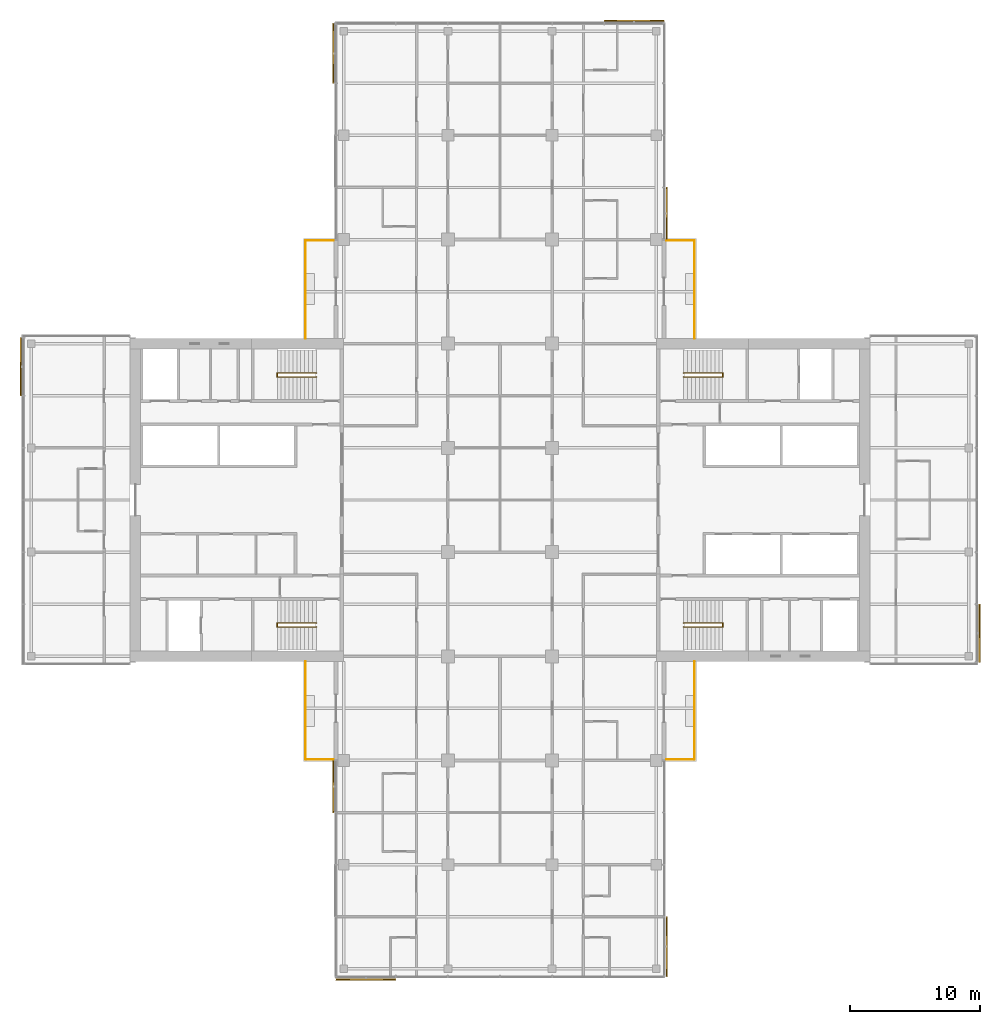
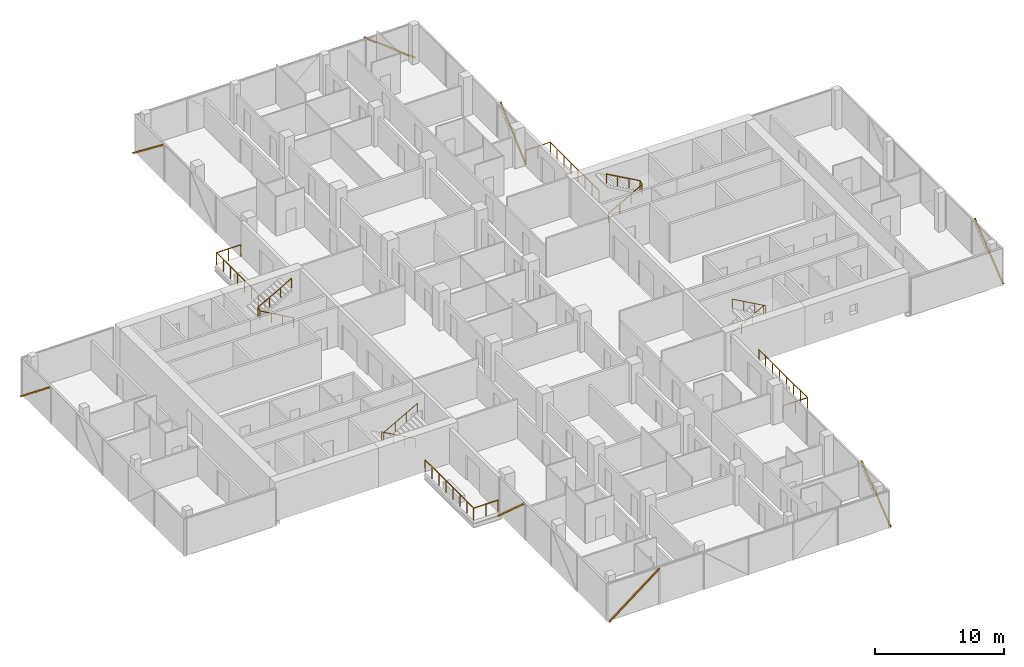
# One storey, part 27 of 27: 8 railings, 8 shading devices, 8 elements without a shape of their own.
"""IFC4 building model written with IfcOpenShell, lengths in metres."""

from ifc_helpers import new_model, si_unit, direction, frame, origin, origin_2d, place, context, subcontext, project, spatial, rectangle, circle, extrude, material, material_profile, profile_set, type_object, element, aggregate, save


model = new_model("IFC4")

# Units and contexts
model_context = context("Model", 3, precision=1e-05, world=origin(), true_north=direction((0.0, 1.0)))
body_context = subcontext(model_context, "Body", "Model", "MODEL_VIEW")
ifc_project = project(units=[si_unit("LENGTHUNIT", "METRE"), si_unit("AREAUNIT", "SQUARE_METRE"), si_unit("VOLUMEUNIT", "CUBIC_METRE"), si_unit("PLANEANGLEUNIT", "RADIAN"), si_unit("MASSUNIT", "GRAM", prefix="KILO")], contexts=[model_context])

# Site, building, storey
site_placement = place(None, origin())
site = spatial("IfcSite", under=ifc_project, at=site_placement, CompositionType="ELEMENT")
building_placement = place(site_placement, origin())
building = spatial("IfcBuilding", under=site, at=building_placement, Name="Crosswind Convention Tower", CompositionType="ELEMENT")
storey_placement = place(building_placement, frame((0.0, 0.0, 101.60009765625)))
storey = spatial("IfcBuildingStorey", under=building, at=storey_placement, Name="L20", CompositionType="ELEMENT", Elevation=101.60009765625)

# Railings
ifc_material_1 = material(Name="Steel and laminated glass balustrade", Category="steel")
railing_type_1 = type_object("IfcRailingType", Name="BALCONY BALUSTRADE 1150", PredefinedType="BALUSTRADE", material=ifc_material_1)
railing_1_placement = place(storey_placement, frame((139.93994140625, 112.39990234375, 0.0)))
element("IfcRailing", 1, at=railing_1_placement, inside=storey, type_object=railing_type_1, Name="R11 balcony balustrade L20 N-E.1-1", PredefinedType="BALUSTRADE", context=body_context, shape_type="SweptSolid", body=[
    extrude(circle(Radius=0.02392578125, at=origin_2d()), frame((0.0, 0.0, 1.1259765625), z_axis=(0.0, 1.0, 0.0), x_axis=(-1.0, 0.0, 0.0)), (0.0, 0.0, 1.0), 7.5400390625),
    extrude(circle(Radius=0.02392578125, at=origin_2d()), frame((0.0, 7.5400390625, 1.1259765625), z_axis=(-1.0, 0.0, 0.0), x_axis=(0.0, -1.0, 0.0)), (0.0, 0.0, 1.0), 2.1689453125),
    extrude(circle(Radius=0.02099609375, at=origin_2d()), origin(), (0.0, 0.0, 1.0), 1.101806640625),
    extrude(circle(Radius=0.02099609375, at=origin_2d()), frame((0.0, 1.0771484375, 0.0)), (0.0, 0.0, 1.0), 1.101806640625),
    extrude(circle(Radius=0.02099609375, at=origin_2d()), frame((0.0, 2.154296875, 0.0)), (0.0, 0.0, 1.0), 1.101806640625),
    extrude(circle(Radius=0.02099609375, at=origin_2d()), frame((0.0, 3.2314453125, 0.0)), (0.0, 0.0, 1.0), 1.101806640625),
    extrude(circle(Radius=0.02099609375, at=origin_2d()), frame((0.0, 4.30859375, 0.0)), (0.0, 0.0, 1.0), 1.101806640625),
    extrude(circle(Radius=0.02099609375, at=origin_2d()), frame((0.0, 5.3857421875, 0.0)), (0.0, 0.0, 1.0), 1.101806640625),
    extrude(circle(Radius=0.02099609375, at=origin_2d()), frame((0.0, 6.462890625, 0.0)), (0.0, 0.0, 1.0), 1.101806640625),
    extrude(circle(Radius=0.02099609375, at=origin_2d()), frame((0.0, 7.5400390625, 0.0)), (0.0, 0.0, 1.0), 1.101806640625),
    extrude(circle(Radius=0.02099609375, at=origin_2d()), frame((-1.08447265625, 7.5400390625, 0.0)), (0.0, 0.0, 1.0), 1.101806640625),
    extrude(circle(Radius=0.02099609375, at=origin_2d()), frame((-2.1689453125, 7.5400390625, 0.0)), (0.0, 0.0, 1.0), 1.101806640625),
])
railing_2_placement = place(storey_placement, frame((110.06005859375, 112.39990234375, 0.0)))
element("IfcRailing", 2, at=railing_2_placement, inside=storey, type_object=railing_type_1, Name="R11 balcony balustrade L20 N-W.1-3", PredefinedType="BALUSTRADE", context=body_context, shape_type="SweptSolid", body=[
    extrude(circle(Radius=0.02392578125, at=origin_2d()), frame((0.0, 0.0, 1.1259765625), z_axis=(0.0, 1.0, 0.0), x_axis=(-1.0, 0.0, 0.0)), (0.0, 0.0, 1.0), 7.5400390625),
    extrude(circle(Radius=0.02392578125, at=origin_2d()), frame((0.0, 7.5400390625, 1.1259765625), z_axis=(1.0, 0.0, 0.0), x_axis=(0.0, 1.0, 0.0)), (0.0, 0.0, 1.0), 2.1689453125),
    extrude(circle(Radius=0.02099609375, at=origin_2d()), origin(), (0.0, 0.0, 1.0), 1.101806640625),
    extrude(circle(Radius=0.02099609375, at=origin_2d()), frame((0.0, 1.0771484375, 0.0)), (0.0, 0.0, 1.0), 1.101806640625),
    extrude(circle(Radius=0.02099609375, at=origin_2d()), frame((0.0, 2.154296875, 0.0)), (0.0, 0.0, 1.0), 1.101806640625),
    extrude(circle(Radius=0.02099609375, at=origin_2d()), frame((0.0, 3.2314453125, 0.0)), (0.0, 0.0, 1.0), 1.101806640625),
    extrude(circle(Radius=0.02099609375, at=origin_2d()), frame((0.0, 4.30859375, 0.0)), (0.0, 0.0, 1.0), 1.101806640625),
    extrude(circle(Radius=0.02099609375, at=origin_2d()), frame((0.0, 5.3857421875, 0.0)), (0.0, 0.0, 1.0), 1.101806640625),
    extrude(circle(Radius=0.02099609375, at=origin_2d()), frame((0.0, 6.462890625, 0.0)), (0.0, 0.0, 1.0), 1.101806640625),
    extrude(circle(Radius=0.02099609375, at=origin_2d()), frame((0.0, 7.5400390625, 0.0)), (0.0, 0.0, 1.0), 1.101806640625),
    extrude(circle(Radius=0.02099609375, at=origin_2d()), frame((1.08447265625, 7.5400390625, 0.0)), (0.0, 0.0, 1.0), 1.101806640625),
    extrude(circle(Radius=0.02099609375, at=origin_2d()), frame((2.1689453125, 7.5400390625, 0.0)), (0.0, 0.0, 1.0), 1.101806640625),
])
railing_3_placement = place(storey_placement, frame((110.06005859375, 87.60009765625, 0.0)))
element("IfcRailing", 3, at=railing_3_placement, inside=storey, type_object=railing_type_1, Name="R11 balcony balustrade L20 S-W.1-1", PredefinedType="BALUSTRADE", context=body_context, shape_type="SweptSolid", body=[
    extrude(circle(Radius=0.02392578125, at=origin_2d()), frame((0.0, 0.0, 1.1259765625), z_axis=(0.0, -1.0, 0.0), x_axis=(1.0, 0.0, 0.0)), (0.0, 0.0, 1.0), 7.5400390625),
    extrude(circle(Radius=0.02392578125, at=origin_2d()), frame((0.0, -7.5400390625, 1.1259765625), z_axis=(1.0, 0.0, 0.0), x_axis=(0.0, 1.0, 0.0)), (0.0, 0.0, 1.0), 2.1689453125),
    extrude(circle(Radius=0.02099609375, at=origin_2d()), origin(), (0.0, 0.0, 1.0), 1.101806640625),
    extrude(circle(Radius=0.02099609375, at=origin_2d()), frame((0.0, -1.0771484375, 0.0)), (0.0, 0.0, 1.0), 1.101806640625),
    extrude(circle(Radius=0.02099609375, at=origin_2d()), frame((0.0, -2.154296875, 0.0)), (0.0, 0.0, 1.0), 1.101806640625),
    extrude(circle(Radius=0.02099609375, at=origin_2d()), frame((0.0, -3.2314453125, 0.0)), (0.0, 0.0, 1.0), 1.101806640625),
    extrude(circle(Radius=0.02099609375, at=origin_2d()), frame((0.0, -4.30859375, 0.0)), (0.0, 0.0, 1.0), 1.101806640625),
    extrude(circle(Radius=0.02099609375, at=origin_2d()), frame((0.0, -5.3857421875, 0.0)), (0.0, 0.0, 1.0), 1.101806640625),
    extrude(circle(Radius=0.02099609375, at=origin_2d()), frame((0.0, -6.462890625, 0.0)), (0.0, 0.0, 1.0), 1.101806640625),
    extrude(circle(Radius=0.02099609375, at=origin_2d()), frame((0.0, -7.5400390625, 0.0)), (0.0, 0.0, 1.0), 1.101806640625),
    extrude(circle(Radius=0.02099609375, at=origin_2d()), frame((1.08447265625, -7.5400390625, 0.0)), (0.0, 0.0, 1.0), 1.101806640625),
    extrude(circle(Radius=0.02099609375, at=origin_2d()), frame((2.1689453125, -7.5400390625, 0.0)), (0.0, 0.0, 1.0), 1.101806640625),
])
railing_4_placement = place(storey_placement, frame((139.93994140625, 87.60009765625, 0.0)))
element("IfcRailing", 4, at=railing_4_placement, inside=storey, type_object=railing_type_1, Name="R11 balcony balustrade L20 S-E.1-3", PredefinedType="BALUSTRADE", context=body_context, shape_type="SweptSolid", body=[
    extrude(circle(Radius=0.02392578125, at=origin_2d()), frame((0.0, 0.0, 1.1259765625), z_axis=(0.0, -1.0, 0.0), x_axis=(1.0, 0.0, 0.0)), (0.0, 0.0, 1.0), 7.5400390625),
    extrude(circle(Radius=0.02392578125, at=origin_2d()), frame((0.0, -7.5400390625, 1.1259765625), z_axis=(-1.0, 0.0, 0.0), x_axis=(0.0, -1.0, 0.0)), (0.0, 0.0, 1.0), 2.1689453125),
    extrude(circle(Radius=0.02099609375, at=origin_2d()), origin(), (0.0, 0.0, 1.0), 1.101806640625),
    extrude(circle(Radius=0.02099609375, at=origin_2d()), frame((0.0, -1.0771484375, 0.0)), (0.0, 0.0, 1.0), 1.101806640625),
    extrude(circle(Radius=0.02099609375, at=origin_2d()), frame((0.0, -2.154296875, 0.0)), (0.0, 0.0, 1.0), 1.101806640625),
    extrude(circle(Radius=0.02099609375, at=origin_2d()), frame((0.0, -3.2314453125, 0.0)), (0.0, 0.0, 1.0), 1.101806640625),
    extrude(circle(Radius=0.02099609375, at=origin_2d()), frame((0.0, -4.30859375, 0.0)), (0.0, 0.0, 1.0), 1.101806640625),
    extrude(circle(Radius=0.02099609375, at=origin_2d()), frame((0.0, -5.3857421875, 0.0)), (0.0, 0.0, 1.0), 1.101806640625),
    extrude(circle(Radius=0.02099609375, at=origin_2d()), frame((0.0, -6.462890625, 0.0)), (0.0, 0.0, 1.0), 1.101806640625),
    extrude(circle(Radius=0.02099609375, at=origin_2d()), frame((0.0, -7.5400390625, 0.0)), (0.0, 0.0, 1.0), 1.101806640625),
    extrude(circle(Radius=0.02099609375, at=origin_2d()), frame((-1.08447265625, -7.5400390625, 0.0)), (0.0, 0.0, 1.0), 1.101806640625),
    extrude(circle(Radius=0.02099609375, at=origin_2d()), frame((-2.1689453125, -7.5400390625, 0.0)), (0.0, 0.0, 1.0), 1.101806640625),
])
ifc_material_2 = material(Name="Stainless steel", Category="steel")
railing_type_2 = type_object("IfcRailingType", Name="Stair handrail 900", PredefinedType="HANDRAIL", material=ifc_material_2)
railing_5_placement = place(storey_placement, frame((139.10009765625, 109.43994140625, 0.16796875)))
element("IfcRailing", 5, at=railing_5_placement, inside=storey, type_object=railing_type_2, Name="Stair ST1 handrail L20", PredefinedType="HANDRAIL", context=body_context, shape_type="SweptSolid", body=[
    extrude(circle(Radius=0.02392578125, at=origin_2d()), frame((0.0, 0.0, 0.8759765625), z_axis=(0.872272294576, 0.0, 0.489020494575), x_axis=(0.0, 1.0, 0.0)), (0.0, 0.0, 1.0), 3.439208984375),
    extrude(circle(Radius=0.02392578125, at=origin_2d()), frame((3.0, 0.0, 2.5576171875), z_axis=(0.0, 0.885196349292, 0.465217608438), x_axis=(-1.0, 0.0, 0.0)), (0.0, 0.0, 1.0), 0.361572265625),
    extrude(circle(Radius=0.02392578125, at=origin_2d()), frame((3.0, 0.320068359375, 2.72607421875), z_axis=(-0.872272294576, 0.0, 0.489020494575), x_axis=(0.0, -1.0, 0.0)), (0.0, 0.0, 1.0), 3.439208984375),
    extrude(circle(Radius=0.02099609375, at=origin_2d()), origin(), (0.0, 0.0, 1.0), 0.851806640625),
    extrude(circle(Radius=0.02099609375, at=origin_2d()), frame((1.0, 0.0, 0.560546875)), (0.0, 0.0, 1.0), 0.851806640625),
    extrude(circle(Radius=0.02099609375, at=origin_2d()), frame((2.0, 0.0, 1.121337890625)), (0.0, 0.0, 1.0), 0.851806640625),
    extrude(circle(Radius=0.02099609375, at=origin_2d()), frame((3.0, 0.0, 1.681884765625)), (0.0, 0.0, 1.0), 0.851806640625),
    extrude(circle(Radius=0.02099609375, at=origin_2d()), frame((3.0, 0.320068359375, 1.85009765625)), (0.0, 0.0, 1.0), 0.851806640625),
    extrude(circle(Radius=0.02099609375, at=origin_2d()), frame((2.0, 0.320068359375, 2.41064453125)), (0.0, 0.0, 1.0), 0.851806640625),
    extrude(circle(Radius=0.02099609375, at=origin_2d()), frame((1.0, 0.320068359375, 2.971435546875)), (0.0, 0.0, 1.0), 0.851806640625),
    extrude(circle(Radius=0.02099609375, at=origin_2d()), frame((0.0, 0.320068359375, 3.531982421875)), (0.0, 0.0, 1.0), 0.851806640625),
])
railing_6_placement = place(storey_placement, frame((139.10009765625, 90.56005859375, 0.16796875)))
element("IfcRailing", 6, at=railing_6_placement, inside=storey, type_object=railing_type_2, Name="Stair ST2 handrail L20", PredefinedType="HANDRAIL", context=body_context, shape_type="SweptSolid", body=[
    extrude(circle(Radius=0.02392578125, at=origin_2d()), frame((0.0, 0.0, 0.8759765625), z_axis=(0.872272294576, 0.0, 0.489020494575), x_axis=(0.0, 1.0, 0.0)), (0.0, 0.0, 1.0), 3.439208984375),
    extrude(circle(Radius=0.02392578125, at=origin_2d()), frame((3.0, 0.0, 2.5576171875), z_axis=(0.0, -0.885196349292, 0.465217608438), x_axis=(1.0, 0.0, 0.0)), (0.0, 0.0, 1.0), 0.361572265625),
    extrude(circle(Radius=0.02392578125, at=origin_2d()), frame((3.0, -0.320068359375, 2.72607421875), z_axis=(-0.872272294576, 0.0, 0.489020494575), x_axis=(0.0, -1.0, 0.0)), (0.0, 0.0, 1.0), 3.439208984375),
    extrude(circle(Radius=0.02099609375, at=origin_2d()), origin(), (0.0, 0.0, 1.0), 0.851806640625),
    extrude(circle(Radius=0.02099609375, at=origin_2d()), frame((1.0, 0.0, 0.560546875)), (0.0, 0.0, 1.0), 0.851806640625),
    extrude(circle(Radius=0.02099609375, at=origin_2d()), frame((2.0, 0.0, 1.121337890625)), (0.0, 0.0, 1.0), 0.851806640625),
    extrude(circle(Radius=0.02099609375, at=origin_2d()), frame((3.0, 0.0, 1.681884765625)), (0.0, 0.0, 1.0), 0.851806640625),
    extrude(circle(Radius=0.02099609375, at=origin_2d()), frame((3.0, -0.320068359375, 1.85009765625)), (0.0, 0.0, 1.0), 0.851806640625),
    extrude(circle(Radius=0.02099609375, at=origin_2d()), frame((2.0, -0.320068359375, 2.41064453125)), (0.0, 0.0, 1.0), 0.851806640625),
    extrude(circle(Radius=0.02099609375, at=origin_2d()), frame((1.0, -0.320068359375, 2.971435546875)), (0.0, 0.0, 1.0), 0.851806640625),
    extrude(circle(Radius=0.02099609375, at=origin_2d()), frame((0.0, -0.320068359375, 3.531982421875)), (0.0, 0.0, 1.0), 0.851806640625),
])
railing_7_placement = place(storey_placement, frame((110.89990234375, 90.56005859375, 0.16796875)))
element("IfcRailing", 7, at=railing_7_placement, inside=storey, type_object=railing_type_2, Name="Stair ST3 handrail L20", PredefinedType="HANDRAIL", context=body_context, shape_type="SweptSolid", body=[
    extrude(circle(Radius=0.02392578125, at=origin_2d()), frame((0.0, 0.0, 0.8759765625), z_axis=(-0.872272294576, 0.0, 0.489020494575), x_axis=(0.0, -1.0, 0.0)), (0.0, 0.0, 1.0), 3.439208984375),
    extrude(circle(Radius=0.02392578125, at=origin_2d()), frame((-3.0, 0.0, 2.5576171875), z_axis=(0.0, -0.885196349292, 0.465217608438), x_axis=(1.0, 0.0, 0.0)), (0.0, 0.0, 1.0), 0.361572265625),
    extrude(circle(Radius=0.02392578125, at=origin_2d()), frame((-3.0, -0.320068359375, 2.72607421875), z_axis=(0.872272294576, 0.0, 0.489020494575), x_axis=(0.0, 1.0, 0.0)), (0.0, 0.0, 1.0), 3.439208984375),
    extrude(circle(Radius=0.02099609375, at=origin_2d()), origin(), (0.0, 0.0, 1.0), 0.851806640625),
    extrude(circle(Radius=0.02099609375, at=origin_2d()), frame((-1.0, 0.0, 0.560546875)), (0.0, 0.0, 1.0), 0.851806640625),
    extrude(circle(Radius=0.02099609375, at=origin_2d()), frame((-2.0, 0.0, 1.121337890625)), (0.0, 0.0, 1.0), 0.851806640625),
    extrude(circle(Radius=0.02099609375, at=origin_2d()), frame((-3.0, 0.0, 1.681884765625)), (0.0, 0.0, 1.0), 0.851806640625),
    extrude(circle(Radius=0.02099609375, at=origin_2d()), frame((-3.0, -0.320068359375, 1.85009765625)), (0.0, 0.0, 1.0), 0.851806640625),
    extrude(circle(Radius=0.02099609375, at=origin_2d()), frame((-2.0, -0.320068359375, 2.41064453125)), (0.0, 0.0, 1.0), 0.851806640625),
    extrude(circle(Radius=0.02099609375, at=origin_2d()), frame((-1.0, -0.320068359375, 2.971435546875)), (0.0, 0.0, 1.0), 0.851806640625),
    extrude(circle(Radius=0.02099609375, at=origin_2d()), frame((0.0, -0.320068359375, 3.531982421875)), (0.0, 0.0, 1.0), 0.851806640625),
])
railing_8_placement = place(storey_placement, frame((110.89990234375, 109.43994140625, 0.16796875)))
element("IfcRailing", 8, at=railing_8_placement, inside=storey, type_object=railing_type_2, Name="Stair ST4 handrail L20", PredefinedType="HANDRAIL", context=body_context, shape_type="SweptSolid", body=[
    extrude(circle(Radius=0.02392578125, at=origin_2d()), frame((0.0, 0.0, 0.8759765625), z_axis=(-0.872272294576, 0.0, 0.489020494575), x_axis=(0.0, -1.0, 0.0)), (0.0, 0.0, 1.0), 3.439208984375),
    extrude(circle(Radius=0.02392578125, at=origin_2d()), frame((-3.0, 0.0, 2.5576171875), z_axis=(0.0, 0.885196349292, 0.465217608438), x_axis=(-1.0, 0.0, 0.0)), (0.0, 0.0, 1.0), 0.361572265625),
    extrude(circle(Radius=0.02392578125, at=origin_2d()), frame((-3.0, 0.320068359375, 2.72607421875), z_axis=(0.872272294576, 0.0, 0.489020494575), x_axis=(0.0, 1.0, 0.0)), (0.0, 0.0, 1.0), 3.439208984375),
    extrude(circle(Radius=0.02099609375, at=origin_2d()), origin(), (0.0, 0.0, 1.0), 0.851806640625),
    extrude(circle(Radius=0.02099609375, at=origin_2d()), frame((-1.0, 0.0, 0.560546875)), (0.0, 0.0, 1.0), 0.851806640625),
    extrude(circle(Radius=0.02099609375, at=origin_2d()), frame((-2.0, 0.0, 1.121337890625)), (0.0, 0.0, 1.0), 0.851806640625),
    extrude(circle(Radius=0.02099609375, at=origin_2d()), frame((-3.0, 0.0, 1.681884765625)), (0.0, 0.0, 1.0), 0.851806640625),
    extrude(circle(Radius=0.02099609375, at=origin_2d()), frame((-3.0, 0.320068359375, 1.85009765625)), (0.0, 0.0, 1.0), 0.851806640625),
    extrude(circle(Radius=0.02099609375, at=origin_2d()), frame((-2.0, 0.320068359375, 2.41064453125)), (0.0, 0.0, 1.0), 0.851806640625),
    extrude(circle(Radius=0.02099609375, at=origin_2d()), frame((-1.0, 0.320068359375, 2.971435546875)), (0.0, 0.0, 1.0), 0.851806640625),
    extrude(circle(Radius=0.02099609375, at=origin_2d()), frame((0.0, 0.320068359375, 3.531982421875)), (0.0, 0.0, 1.0), 0.851806640625),
])

# Curtain wall, shading device
ifc_material_3 = material(Name="Aluminium unitised curtain wall", Category="aluminium")
curtain_wall_type = type_object("IfcCurtainWallType", Name="HOTEL UNITISED WALL 200", PredefinedType="USERDEFINED", material=ifc_material_3)
curtain_wall_1_placement = place(storey_placement, origin())
curtain_wall_1 = element("IfcCurtainWall", 9, at=curtain_wall_1_placement, inside=storey, type_object=curtain_wall_type, Name="CW2 L20 E-TIP 1", ObjectType="UNITISED", PredefinedType="USERDEFINED")
ifc_material_4 = material(Name="Extruded terracotta", Category="masonry")
ifc_material_profile = material_profile(ifc_material_4, rectangle(XDim=0.10009765625, YDim=0.1201171875, at=origin_2d()), Name="TC 100X120")
ifc_profile_set = profile_set([ifc_material_profile], Name="Extruded terracotta")
shading_device_type = type_object("IfcShadingDeviceType", Name="TERRACOTTA BAGUETTE 120X100", PredefinedType="USERDEFINED", material=ifc_profile_set)
shading_device_1_placement = place(storey_placement, frame((161.80810546875, 87.56494140625, -0.280029296875), z_axis=(0.0, 0.781489934058, 0.623917849533), x_axis=(-1.0, 0.0, 0.0)))
shading_device_1 = element("IfcShadingDevice", 10, at=shading_device_1_placement, type_object=shading_device_type, Name="CW2 terracotta baguette 1", ObjectType="BAGUETTE", PredefinedType="USERDEFINED", context=body_context, shape_type="SweptSolid", body=[
    extrude(rectangle(XDim=0.10009765625, YDim=0.1201171875, at=origin_2d()), origin(), (0.0, 0.0, 1.0), 5.633544921875),
])
aggregate(curtain_wall_1, [shading_device_1])

curtain_wall_2_placement = place(storey_placement, origin())
curtain_wall_2 = element("IfcCurtainWall", 11, at=curtain_wall_2_placement, inside=storey, type_object=curtain_wall_type, Name="CW2 L20 N-E 1", ObjectType="UNITISED", PredefinedType="USERDEFINED")
shading_device_2_placement = place(storey_placement, frame((137.80810546875, 120.032470703125, -0.280029296875), z_axis=(0.0, 0.745801360675, 0.666168394939), x_axis=(-1.0, 0.0, 0.0)))
shading_device_2 = element("IfcShadingDevice", 12, at=shading_device_2_placement, type_object=shading_device_type, Name="CW2 terracotta baguette 1", ObjectType="BAGUETTE", PredefinedType="USERDEFINED", context=body_context, shape_type="SweptSolid", body=[
    extrude(rectangle(XDim=0.10009765625, YDim=0.1201171875, at=origin_2d()), origin(), (0.0, 0.0, 1.0), 5.2763671875),
])
aggregate(curtain_wall_2, [shading_device_2])

curtain_wall_3_placement = place(storey_placement, origin())
curtain_wall_3 = element("IfcCurtainWall", 13, at=curtain_wall_3_placement, inside=storey, type_object=curtain_wall_type, Name="CW2 L20 N-TIP 1", ObjectType="UNITISED", PredefinedType="USERDEFINED")
shading_device_3_placement = place(storey_placement, frame((137.5673828125, 136.80810546875, -0.280029296875), z_axis=(-0.790386722697, 0.0, 0.612608217856), x_axis=(0.0, -1.0, 0.0)))
shading_device_3 = element("IfcShadingDevice", 14, at=shading_device_3_placement, type_object=shading_device_type, Name="CW2 terracotta baguette 1", ObjectType="BAGUETTE", PredefinedType="USERDEFINED", context=body_context, shape_type="SweptSolid", body=[
    extrude(rectangle(XDim=0.10009765625, YDim=0.1201171875, at=origin_2d()), origin(), (0.0, 0.0, 1.0), 5.737548828125),
])
aggregate(curtain_wall_3, [shading_device_3])

curtain_wall_4_placement = place(storey_placement, origin())
curtain_wall_4 = element("IfcCurtainWall", 15, at=curtain_wall_4_placement, inside=storey, type_object=curtain_wall_type, Name="CW2 L20 N-W 1", ObjectType="UNITISED", PredefinedType="USERDEFINED")
shading_device_4_placement = place(storey_placement, frame((112.19189453125, 136.5673828125, -0.280029296875), z_axis=(0.0, -0.790386722697, 0.612608217856), x_axis=(1.0, 0.0, 0.0)))
shading_device_4 = element("IfcShadingDevice", 16, at=shading_device_4_placement, type_object=shading_device_type, Name="CW2 terracotta baguette 1", ObjectType="BAGUETTE", PredefinedType="USERDEFINED", context=body_context, shape_type="SweptSolid", body=[
    extrude(rectangle(XDim=0.10009765625, YDim=0.1201171875, at=origin_2d()), origin(), (0.0, 0.0, 1.0), 5.737548828125),
])
aggregate(curtain_wall_4, [shading_device_4])

curtain_wall_5_placement = place(storey_placement, origin())
curtain_wall_5 = element("IfcCurtainWall", 17, at=curtain_wall_5_placement, inside=storey, type_object=curtain_wall_type, Name="CW2 L20 W-TIP 1", ObjectType="UNITISED", PredefinedType="USERDEFINED")
shading_device_5_placement = place(storey_placement, frame((88.19189453125, 112.43505859375, -0.280029296875), z_axis=(0.0, -0.781489934058, 0.623917849533), x_axis=(1.0, 0.0, 0.0)))
shading_device_5 = element("IfcShadingDevice", 18, at=shading_device_5_placement, type_object=shading_device_type, Name="CW2 terracotta baguette 1", ObjectType="BAGUETTE", PredefinedType="USERDEFINED", context=body_context, shape_type="SweptSolid", body=[
    extrude(rectangle(XDim=0.10009765625, YDim=0.1201171875, at=origin_2d()), origin(), (0.0, 0.0, 1.0), 5.633544921875),
])
aggregate(curtain_wall_5, [shading_device_5])

curtain_wall_6_placement = place(storey_placement, origin())
curtain_wall_6 = element("IfcCurtainWall", 19, at=curtain_wall_6_placement, inside=storey, type_object=curtain_wall_type, Name="CW2 L20 S-W 1", ObjectType="UNITISED", PredefinedType="USERDEFINED")
shading_device_6_placement = place(storey_placement, frame((112.19189453125, 79.967529296875, -0.280029296875), z_axis=(0.0, -0.745801360675, 0.666168394939), x_axis=(1.0, 0.0, 0.0)))
shading_device_6 = element("IfcShadingDevice", 20, at=shading_device_6_placement, type_object=shading_device_type, Name="CW2 terracotta baguette 1", ObjectType="BAGUETTE", PredefinedType="USERDEFINED", context=body_context, shape_type="SweptSolid", body=[
    extrude(rectangle(XDim=0.10009765625, YDim=0.1201171875, at=origin_2d()), origin(), (0.0, 0.0, 1.0), 5.2763671875),
])
aggregate(curtain_wall_6, [shading_device_6])

curtain_wall_7_placement = place(storey_placement, origin())
curtain_wall_7 = element("IfcCurtainWall", 21, at=curtain_wall_7_placement, inside=storey, type_object=curtain_wall_type, Name="CW2 L20 S-TIP 1", ObjectType="UNITISED", PredefinedType="USERDEFINED")
shading_device_7_placement = place(storey_placement, frame((112.4326171875, 63.19189453125, -0.280029296875), z_axis=(0.790386722697, 0.0, 0.612608217856), x_axis=(0.0, 1.0, 0.0)))
shading_device_7 = element("IfcShadingDevice", 22, at=shading_device_7_placement, type_object=shading_device_type, Name="CW2 terracotta baguette 1", ObjectType="BAGUETTE", PredefinedType="USERDEFINED", context=body_context, shape_type="SweptSolid", body=[
    extrude(rectangle(XDim=0.10009765625, YDim=0.1201171875, at=origin_2d()), origin(), (0.0, 0.0, 1.0), 5.737548828125),
])
aggregate(curtain_wall_7, [shading_device_7])

curtain_wall_8_placement = place(storey_placement, origin())
curtain_wall_8 = element("IfcCurtainWall", 23, at=curtain_wall_8_placement, inside=storey, type_object=curtain_wall_type, Name="CW2 L20 S-E 1", ObjectType="UNITISED", PredefinedType="USERDEFINED")
shading_device_8_placement = place(storey_placement, frame((137.80810546875, 63.4326171875, -0.280029296875), z_axis=(0.0, 0.790386722697, 0.612608217856), x_axis=(-1.0, 0.0, 0.0)))
shading_device_8 = element("IfcShadingDevice", 24, at=shading_device_8_placement, type_object=shading_device_type, Name="CW2 terracotta baguette 1", ObjectType="BAGUETTE", PredefinedType="USERDEFINED", context=body_context, shape_type="SweptSolid", body=[
    extrude(rectangle(XDim=0.10009765625, YDim=0.1201171875, at=origin_2d()), origin(), (0.0, 0.0, 1.0), 5.737548828125),
])
aggregate(curtain_wall_8, [shading_device_8])

save(model, "model.ifc")
